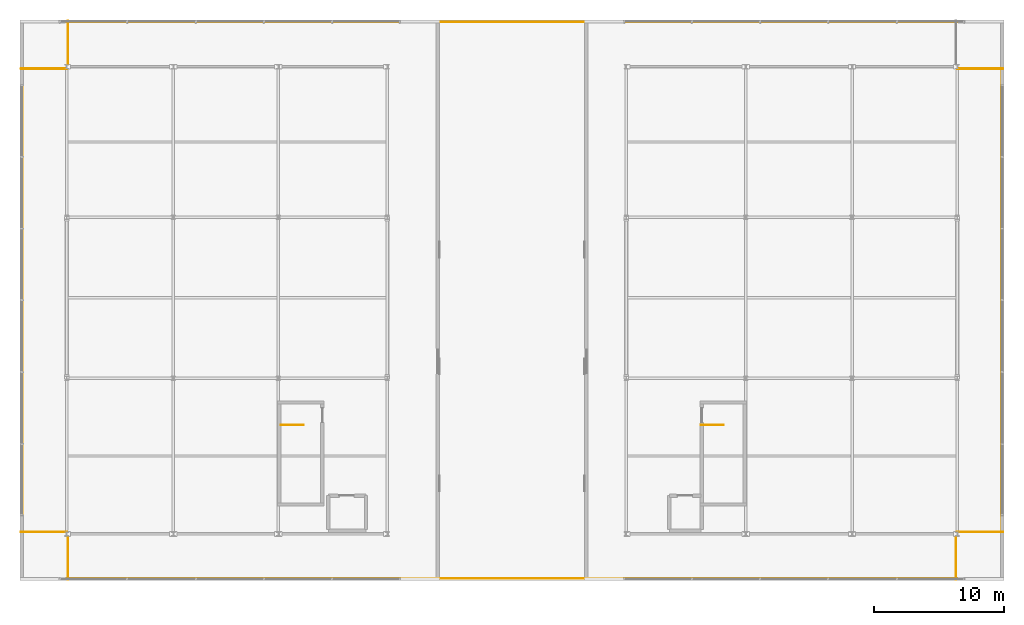
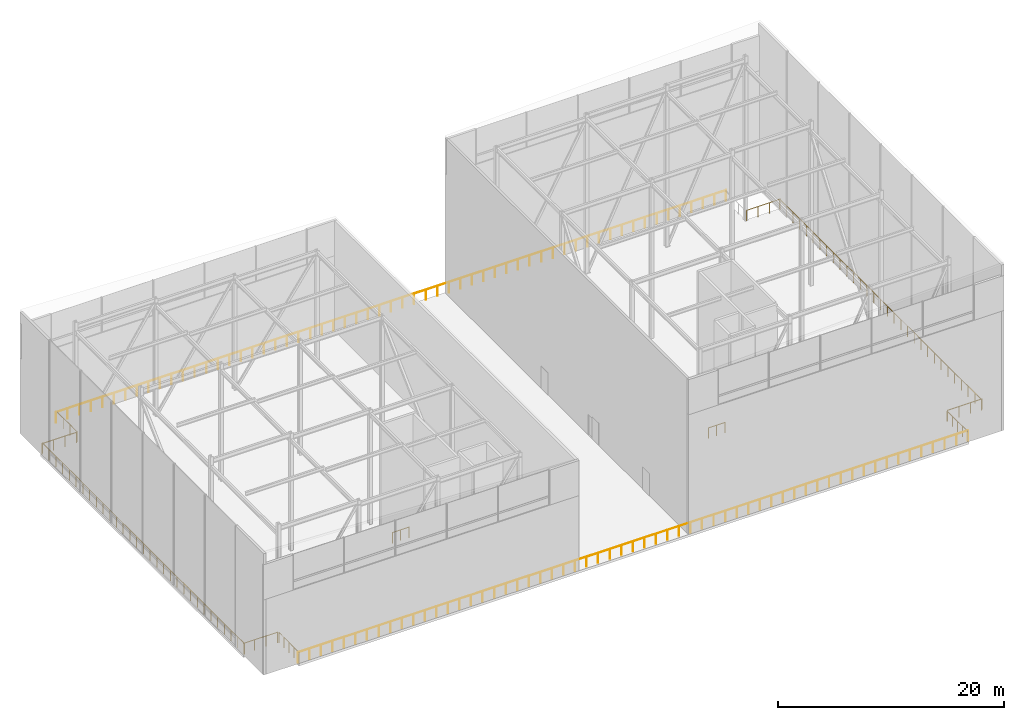
# One storey, part 38 of 39: 13 railings.
"""IFC4 building model written with IfcOpenShell, lengths in metres."""

from ifc_helpers import new_model, si_unit, direction, frame, origin, origin_2d, place, context, subcontext, project, spatial, circle, extrude, material, type_object, element, save


model = new_model("IFC4")

# Units and contexts
model_context = context("Model", 3, precision=1e-05, world=origin(), true_north=direction((0.0, 1.0)))
body_context = subcontext(model_context, "Body", "Model", "MODEL_VIEW")
ifc_project = project(units=[si_unit("LENGTHUNIT", "METRE"), si_unit("AREAUNIT", "SQUARE_METRE"), si_unit("VOLUMEUNIT", "CUBIC_METRE"), si_unit("PLANEANGLEUNIT", "RADIAN"), si_unit("MASSUNIT", "GRAM", prefix="KILO")], contexts=[model_context])

# Site, building, storey
site_placement = place(None, origin())
site = spatial("IfcSite", under=ifc_project, at=site_placement, CompositionType="ELEMENT")
building_placement = place(site_placement, origin())
building = spatial("IfcBuilding", under=site, at=building_placement, Name="Korimba Cascade Residences", CompositionType="ELEMENT")
storey_placement = place(building_placement, frame((0.0, 0.0, 264.199951171875)))
storey = spatial("IfcBuildingStorey", under=building, at=storey_placement, Name="RF", CompositionType="ELEMENT", Elevation=264.199951171875)

# Railings
ifc_material_1 = material(Name="Painted Steel Stairwell Guardrail", Category="steel")
railing_type_1 = type_object("IfcRailingType", Name="RLG-ST-GD1150", PredefinedType="GUARDRAIL", material=ifc_material_1)
for number, where, name in (
    (1, (76.300048828125, 63.60009765625, 0.0), "RF ST-W1 top well guard 1"),
    (2, (108.659912109375, 63.60009765625, 0.0), "RF ST-W2 top well guard 1"),
):
    element("IfcRailing", number, at=place(storey_placement, frame(where)), inside=storey, type_object=railing_type_1, Name=name, PredefinedType="GUARDRAIL", context=body_context, shape_type="SweptSolid", body=[
        extrude(circle(Radius=0.02392578125, at=origin_2d()), frame((0.0, 0.0, 1.1259765625), z_axis=(1.0, 0.0, 0.0), x_axis=(0.0, 1.0, 0.0)), (0.0, 0.0, 1.0), 1.719970703125),
        extrude(circle(Radius=0.02099609375, at=origin_2d()), origin(), (0.0, 0.0, 1.0), 1.101806640625),
        extrude(circle(Radius=0.02099609375, at=origin_2d()), frame((0.85986328125, 0.0, 0.0)), (0.0, 0.0, 1.0), 1.101806640625),
        extrude(circle(Radius=0.02099609375, at=origin_2d()), frame((1.719970703125, 0.0, 0.0)), (0.0, 0.0, 1.0), 1.101806640625),
    ])
ifc_material_2 = material(Name="Painted Galvanised Steel Terrace Guardrail", Category="steel")
railing_type_2 = type_object("IfcRailingType", Name="RLG-TER-1150", PredefinedType="GUARDRAIL", material=ifc_material_2)
railing_1_placement = place(storey_placement, frame((59.800048828125, 51.760009765625, 0.0)))
element("IfcRailing", 3, at=railing_1_placement, inside=storey, type_object=railing_type_2, Name="RF Perimeter Guardrail RLG-RF-CRN-PERIM-01", PredefinedType="GUARDRAIL", context=body_context, shape_type="SweptSolid", body=[
    extrude(circle(Radius=0.02392578125, at=origin_2d()), frame((0.0, 0.0, 1.1259765625), z_axis=(1.0, 0.0, 0.0), x_axis=(0.0, 1.0, 0.0)), (0.0, 0.0, 1.0), 68.599853515625),
    extrude(circle(Radius=0.02099609375, at=origin_2d()), origin(), (0.0, 0.0, 1.0), 1.101806640625),
    extrude(circle(Radius=0.02099609375, at=origin_2d()), frame((1.182861328125, 0.0, 0.0)), (0.0, 0.0, 1.0), 1.101806640625),
    extrude(circle(Radius=0.02099609375, at=origin_2d()), frame((2.365478515625, 0.0, 0.0)), (0.0, 0.0, 1.0), 1.101806640625),
    extrude(circle(Radius=0.02099609375, at=origin_2d()), frame((3.54833984375, 0.0, 0.0)), (0.0, 0.0, 1.0), 1.101806640625),
    extrude(circle(Radius=0.02099609375, at=origin_2d()), frame((4.73095703125, 0.0, 0.0)), (0.0, 0.0, 1.0), 1.101806640625),
    extrude(circle(Radius=0.02099609375, at=origin_2d()), frame((5.913818359375, 0.0, 0.0)), (0.0, 0.0, 1.0), 1.101806640625),
    extrude(circle(Radius=0.02099609375, at=origin_2d()), frame((7.096435546875, 0.0, 0.0)), (0.0, 0.0, 1.0), 1.101806640625),
    extrude(circle(Radius=0.02099609375, at=origin_2d()), frame((8.279296875, 0.0, 0.0)), (0.0, 0.0, 1.0), 1.101806640625),
    extrude(circle(Radius=0.02099609375, at=origin_2d()), frame((9.462158203125, 0.0, 0.0)), (0.0, 0.0, 1.0), 1.101806640625),
    extrude(circle(Radius=0.02099609375, at=origin_2d()), frame((10.644775390625, 0.0, 0.0)), (0.0, 0.0, 1.0), 1.101806640625),
    extrude(circle(Radius=0.02099609375, at=origin_2d()), frame((11.82763671875, 0.0, 0.0)), (0.0, 0.0, 1.0), 1.101806640625),
    extrude(circle(Radius=0.02099609375, at=origin_2d()), frame((13.01025390625, 0.0, 0.0)), (0.0, 0.0, 1.0), 1.101806640625),
    extrude(circle(Radius=0.02099609375, at=origin_2d()), frame((14.193115234375, 0.0, 0.0)), (0.0, 0.0, 1.0), 1.101806640625),
    extrude(circle(Radius=0.02099609375, at=origin_2d()), frame((15.375732421875, 0.0, 0.0)), (0.0, 0.0, 1.0), 1.101806640625),
    extrude(circle(Radius=0.02099609375, at=origin_2d()), frame((16.55859375, 0.0, 0.0)), (0.0, 0.0, 1.0), 1.101806640625),
    extrude(circle(Radius=0.02099609375, at=origin_2d()), frame((17.741455078125, 0.0, 0.0)), (0.0, 0.0, 1.0), 1.101806640625),
    extrude(circle(Radius=0.02099609375, at=origin_2d()), frame((18.924072265625, 0.0, 0.0)), (0.0, 0.0, 1.0), 1.101806640625),
    extrude(circle(Radius=0.02099609375, at=origin_2d()), frame((20.10693359375, 0.0, 0.0)), (0.0, 0.0, 1.0), 1.101806640625),
    extrude(circle(Radius=0.02099609375, at=origin_2d()), frame((21.28955078125, 0.0, 0.0)), (0.0, 0.0, 1.0), 1.101806640625),
    extrude(circle(Radius=0.02099609375, at=origin_2d()), frame((22.472412109375, 0.0, 0.0)), (0.0, 0.0, 1.0), 1.101806640625),
    extrude(circle(Radius=0.02099609375, at=origin_2d()), frame((23.655029296875, 0.0, 0.0)), (0.0, 0.0, 1.0), 1.101806640625),
    extrude(circle(Radius=0.02099609375, at=origin_2d()), frame((24.837890625, 0.0, 0.0)), (0.0, 0.0, 1.0), 1.101806640625),
    extrude(circle(Radius=0.02099609375, at=origin_2d()), frame((26.020751953125, 0.0, 0.0)), (0.0, 0.0, 1.0), 1.101806640625),
    extrude(circle(Radius=0.02099609375, at=origin_2d()), frame((27.203369140625, 0.0, 0.0)), (0.0, 0.0, 1.0), 1.101806640625),
    extrude(circle(Radius=0.02099609375, at=origin_2d()), frame((28.38623046875, 0.0, 0.0)), (0.0, 0.0, 1.0), 1.101806640625),
    extrude(circle(Radius=0.02099609375, at=origin_2d()), frame((29.56884765625, 0.0, 0.0)), (0.0, 0.0, 1.0), 1.101806640625),
    extrude(circle(Radius=0.02099609375, at=origin_2d()), frame((30.751708984375, 0.0, 0.0)), (0.0, 0.0, 1.0), 1.101806640625),
    extrude(circle(Radius=0.02099609375, at=origin_2d()), frame((31.934326171875, 0.0, 0.0)), (0.0, 0.0, 1.0), 1.101806640625),
    extrude(circle(Radius=0.02099609375, at=origin_2d()), frame((33.1171875, 0.0, 0.0)), (0.0, 0.0, 1.0), 1.101806640625),
    extrude(circle(Radius=0.02099609375, at=origin_2d()), frame((34.2998046875, 0.0, 0.0)), (0.0, 0.0, 1.0), 1.101806640625),
    extrude(circle(Radius=0.02099609375, at=origin_2d()), frame((35.482666015625, 0.0, 0.0)), (0.0, 0.0, 1.0), 1.101806640625),
    extrude(circle(Radius=0.02099609375, at=origin_2d()), frame((36.66552734375, 0.0, 0.0)), (0.0, 0.0, 1.0), 1.101806640625),
    extrude(circle(Radius=0.02099609375, at=origin_2d()), frame((37.84814453125, 0.0, 0.0)), (0.0, 0.0, 1.0), 1.101806640625),
    extrude(circle(Radius=0.02099609375, at=origin_2d()), frame((39.031005859375, 0.0, 0.0)), (0.0, 0.0, 1.0), 1.101806640625),
    extrude(circle(Radius=0.02099609375, at=origin_2d()), frame((40.213623046875, 0.0, 0.0)), (0.0, 0.0, 1.0), 1.101806640625),
    extrude(circle(Radius=0.02099609375, at=origin_2d()), frame((41.396484375, 0.0, 0.0)), (0.0, 0.0, 1.0), 1.101806640625),
    extrude(circle(Radius=0.02099609375, at=origin_2d()), frame((42.5791015625, 0.0, 0.0)), (0.0, 0.0, 1.0), 1.101806640625),
    extrude(circle(Radius=0.02099609375, at=origin_2d()), frame((43.761962890625, 0.0, 0.0)), (0.0, 0.0, 1.0), 1.101806640625),
    extrude(circle(Radius=0.02099609375, at=origin_2d()), frame((44.94482421875, 0.0, 0.0)), (0.0, 0.0, 1.0), 1.101806640625),
    extrude(circle(Radius=0.02099609375, at=origin_2d()), frame((46.12744140625, 0.0, 0.0)), (0.0, 0.0, 1.0), 1.101806640625),
    extrude(circle(Radius=0.02099609375, at=origin_2d()), frame((47.310302734375, 0.0, 0.0)), (0.0, 0.0, 1.0), 1.101806640625),
    extrude(circle(Radius=0.02099609375, at=origin_2d()), frame((48.492919921875, 0.0, 0.0)), (0.0, 0.0, 1.0), 1.101806640625),
    extrude(circle(Radius=0.02099609375, at=origin_2d()), frame((49.67578125, 0.0, 0.0)), (0.0, 0.0, 1.0), 1.101806640625),
    extrude(circle(Radius=0.02099609375, at=origin_2d()), frame((50.8583984375, 0.0, 0.0)), (0.0, 0.0, 1.0), 1.101806640625),
    extrude(circle(Radius=0.02099609375, at=origin_2d()), frame((52.041259765625, 0.0, 0.0)), (0.0, 0.0, 1.0), 1.101806640625),
    extrude(circle(Radius=0.02099609375, at=origin_2d()), frame((53.22412109375, 0.0, 0.0)), (0.0, 0.0, 1.0), 1.101806640625),
    extrude(circle(Radius=0.02099609375, at=origin_2d()), frame((54.40673828125, 0.0, 0.0)), (0.0, 0.0, 1.0), 1.101806640625),
    extrude(circle(Radius=0.02099609375, at=origin_2d()), frame((55.589599609375, 0.0, 0.0)), (0.0, 0.0, 1.0), 1.101806640625),
    extrude(circle(Radius=0.02099609375, at=origin_2d()), frame((56.772216796875, 0.0, 0.0)), (0.0, 0.0, 1.0), 1.101806640625),
    extrude(circle(Radius=0.02099609375, at=origin_2d()), frame((57.955078125, 0.0, 0.0)), (0.0, 0.0, 1.0), 1.101806640625),
    extrude(circle(Radius=0.02099609375, at=origin_2d()), frame((59.1376953125, 0.0, 0.0)), (0.0, 0.0, 1.0), 1.101806640625),
    extrude(circle(Radius=0.02099609375, at=origin_2d()), frame((60.320556640625, 0.0, 0.0)), (0.0, 0.0, 1.0), 1.101806640625),
    extrude(circle(Radius=0.02099609375, at=origin_2d()), frame((61.50341796875, 0.0, 0.0)), (0.0, 0.0, 1.0), 1.101806640625),
    extrude(circle(Radius=0.02099609375, at=origin_2d()), frame((62.68603515625, 0.0, 0.0)), (0.0, 0.0, 1.0), 1.101806640625),
    extrude(circle(Radius=0.02099609375, at=origin_2d()), frame((63.868896484375, 0.0, 0.0)), (0.0, 0.0, 1.0), 1.101806640625),
    extrude(circle(Radius=0.02099609375, at=origin_2d()), frame((65.051513671875, 0.0, 0.0)), (0.0, 0.0, 1.0), 1.101806640625),
    extrude(circle(Radius=0.02099609375, at=origin_2d()), frame((66.234375, 0.0, 0.0)), (0.0, 0.0, 1.0), 1.101806640625),
    extrude(circle(Radius=0.02099609375, at=origin_2d()), frame((67.4169921875, 0.0, 0.0)), (0.0, 0.0, 1.0), 1.101806640625),
    extrude(circle(Radius=0.02099609375, at=origin_2d()), frame((68.599853515625, 0.0, 0.0)), (0.0, 0.0, 1.0), 1.101806640625),
])
railing_2_placement = place(storey_placement, frame((128.320068359375, 51.679931640625, 0.0)))
element("IfcRailing", 4, at=railing_2_placement, inside=storey, type_object=railing_type_2, Name="RF Perimeter Guardrail RLG-RF-CRN-PERIM-02", PredefinedType="GUARDRAIL", context=body_context, shape_type="SweptSolid", body=[
    extrude(circle(Radius=0.02392578125, at=origin_2d()), frame((0.0, 0.0, 1.1259765625), z_axis=(0.0, 1.0, 0.0), x_axis=(-1.0, 0.0, 0.0)), (0.0, 0.0, 1.0), 3.60009765625),
    extrude(circle(Radius=0.02099609375, at=origin_2d()), origin(), (0.0, 0.0, 1.0), 1.101806640625),
    extrude(circle(Radius=0.02099609375, at=origin_2d()), frame((0.0, 0.89990234375, 0.0)), (0.0, 0.0, 1.0), 1.101806640625),
    extrude(circle(Radius=0.02099609375, at=origin_2d()), frame((0.0, 1.800048828125, 0.0)), (0.0, 0.0, 1.0), 1.101806640625),
    extrude(circle(Radius=0.02099609375, at=origin_2d()), frame((0.0, 2.7001953125, 0.0)), (0.0, 0.0, 1.0), 1.101806640625),
    extrude(circle(Radius=0.02099609375, at=origin_2d()), frame((0.0, 3.60009765625, 0.0)), (0.0, 0.0, 1.0), 1.101806640625),
])
railing_3_placement = place(storey_placement, frame((128.39990234375, 55.360107421875, 0.0)))
element("IfcRailing", 5, at=railing_3_placement, inside=storey, type_object=railing_type_2, Name="RF Perimeter Guardrail RLG-RF-CRN-PERIM-03", PredefinedType="GUARDRAIL", context=body_context, shape_type="SweptSolid", body=[
    extrude(circle(Radius=0.02392578125, at=origin_2d()), frame((0.0, 0.0, 1.1259765625), z_axis=(1.0, 0.0, 0.0), x_axis=(0.0, 1.0, 0.0)), (0.0, 0.0, 1.0), 3.52001953125),
    extrude(circle(Radius=0.02099609375, at=origin_2d()), origin(), (0.0, 0.0, 1.0), 1.101806640625),
    extrude(circle(Radius=0.02099609375, at=origin_2d()), frame((1.17333984375, 0.0, 0.0)), (0.0, 0.0, 1.0), 1.101806640625),
    extrude(circle(Radius=0.02099609375, at=origin_2d()), frame((2.3466796875, 0.0, 0.0)), (0.0, 0.0, 1.0), 1.101806640625),
    extrude(circle(Radius=0.02099609375, at=origin_2d()), frame((3.52001953125, 0.0, 0.0)), (0.0, 0.0, 1.0), 1.101806640625),
])
railing_4_placement = place(storey_placement, frame((131.840087890625, 55.280029296875, 0.0)))
element("IfcRailing", 6, at=railing_4_placement, inside=storey, type_object=railing_type_2, Name="RF Perimeter Guardrail RLG-RF-CRN-PERIM-04", PredefinedType="GUARDRAIL", context=body_context, shape_type="SweptSolid", body=[
    extrude(circle(Radius=0.02392578125, at=origin_2d()), frame((0.0, 0.0, 1.1259765625), z_axis=(0.0, 1.0, 0.0), x_axis=(-1.0, 0.0, 0.0)), (0.0, 0.0, 1.0), 35.840087890625),
    extrude(circle(Radius=0.02099609375, at=origin_2d()), origin(), (0.0, 0.0, 1.0), 1.101806640625),
    extrude(circle(Radius=0.02099609375, at=origin_2d()), frame((0.0, 1.194580078125, 0.0)), (0.0, 0.0, 1.0), 1.101806640625),
    extrude(circle(Radius=0.02099609375, at=origin_2d()), frame((0.0, 2.389404296875, 0.0)), (0.0, 0.0, 1.0), 1.101806640625),
    extrude(circle(Radius=0.02099609375, at=origin_2d()), frame((0.0, 3.583984375, 0.0)), (0.0, 0.0, 1.0), 1.101806640625),
    extrude(circle(Radius=0.02099609375, at=origin_2d()), frame((0.0, 4.778564453125, 0.0)), (0.0, 0.0, 1.0), 1.101806640625),
    extrude(circle(Radius=0.02099609375, at=origin_2d()), frame((0.0, 5.973388671875, 0.0)), (0.0, 0.0, 1.0), 1.101806640625),
    extrude(circle(Radius=0.02099609375, at=origin_2d()), frame((0.0, 7.16796875, 0.0)), (0.0, 0.0, 1.0), 1.101806640625),
    extrude(circle(Radius=0.02099609375, at=origin_2d()), frame((0.0, 8.36279296875, 0.0)), (0.0, 0.0, 1.0), 1.101806640625),
    extrude(circle(Radius=0.02099609375, at=origin_2d()), frame((0.0, 9.557373046875, 0.0)), (0.0, 0.0, 1.0), 1.101806640625),
    extrude(circle(Radius=0.02099609375, at=origin_2d()), frame((0.0, 10.751953125, 0.0)), (0.0, 0.0, 1.0), 1.101806640625),
    extrude(circle(Radius=0.02099609375, at=origin_2d()), frame((0.0, 11.94677734375, 0.0)), (0.0, 0.0, 1.0), 1.101806640625),
    extrude(circle(Radius=0.02099609375, at=origin_2d()), frame((0.0, 13.141357421875, 0.0)), (0.0, 0.0, 1.0), 1.101806640625),
    extrude(circle(Radius=0.02099609375, at=origin_2d()), frame((0.0, 14.3359375, 0.0)), (0.0, 0.0, 1.0), 1.101806640625),
    extrude(circle(Radius=0.02099609375, at=origin_2d()), frame((0.0, 15.53076171875, 0.0)), (0.0, 0.0, 1.0), 1.101806640625),
    extrude(circle(Radius=0.02099609375, at=origin_2d()), frame((0.0, 16.725341796875, 0.0)), (0.0, 0.0, 1.0), 1.101806640625),
    extrude(circle(Radius=0.02099609375, at=origin_2d()), frame((0.0, 17.919921875, 0.0)), (0.0, 0.0, 1.0), 1.101806640625),
    extrude(circle(Radius=0.02099609375, at=origin_2d()), frame((0.0, 19.11474609375, 0.0)), (0.0, 0.0, 1.0), 1.101806640625),
    extrude(circle(Radius=0.02099609375, at=origin_2d()), frame((0.0, 20.309326171875, 0.0)), (0.0, 0.0, 1.0), 1.101806640625),
    extrude(circle(Radius=0.02099609375, at=origin_2d()), frame((0.0, 21.504150390625, 0.0)), (0.0, 0.0, 1.0), 1.101806640625),
    extrude(circle(Radius=0.02099609375, at=origin_2d()), frame((0.0, 22.69873046875, 0.0)), (0.0, 0.0, 1.0), 1.101806640625),
    extrude(circle(Radius=0.02099609375, at=origin_2d()), frame((0.0, 23.893310546875, 0.0)), (0.0, 0.0, 1.0), 1.101806640625),
    extrude(circle(Radius=0.02099609375, at=origin_2d()), frame((0.0, 25.088134765625, 0.0)), (0.0, 0.0, 1.0), 1.101806640625),
    extrude(circle(Radius=0.02099609375, at=origin_2d()), frame((0.0, 26.28271484375, 0.0)), (0.0, 0.0, 1.0), 1.101806640625),
    extrude(circle(Radius=0.02099609375, at=origin_2d()), frame((0.0, 27.477294921875, 0.0)), (0.0, 0.0, 1.0), 1.101806640625),
    extrude(circle(Radius=0.02099609375, at=origin_2d()), frame((0.0, 28.672119140625, 0.0)), (0.0, 0.0, 1.0), 1.101806640625),
    extrude(circle(Radius=0.02099609375, at=origin_2d()), frame((0.0, 29.86669921875, 0.0)), (0.0, 0.0, 1.0), 1.101806640625),
    extrude(circle(Radius=0.02099609375, at=origin_2d()), frame((0.0, 31.0615234375, 0.0)), (0.0, 0.0, 1.0), 1.101806640625),
    extrude(circle(Radius=0.02099609375, at=origin_2d()), frame((0.0, 32.256103515625, 0.0)), (0.0, 0.0, 1.0), 1.101806640625),
    extrude(circle(Radius=0.02099609375, at=origin_2d()), frame((0.0, 33.45068359375, 0.0)), (0.0, 0.0, 1.0), 1.101806640625),
    extrude(circle(Radius=0.02099609375, at=origin_2d()), frame((0.0, 34.6455078125, 0.0)), (0.0, 0.0, 1.0), 1.101806640625),
    extrude(circle(Radius=0.02099609375, at=origin_2d()), frame((0.0, 35.840087890625, 0.0)), (0.0, 0.0, 1.0), 1.101806640625),
])
railing_5_placement = place(storey_placement, frame((131.919921875, 91.0400390625, 0.0)))
element("IfcRailing", 7, at=railing_5_placement, inside=storey, type_object=railing_type_2, Name="RF Perimeter Guardrail RLG-RF-CRN-PERIM-05", PredefinedType="GUARDRAIL", context=body_context, shape_type="SweptSolid", body=[
    extrude(circle(Radius=0.02392578125, at=origin_2d()), frame((0.0, 0.0, 1.1259765625), z_axis=(-1.0, 0.0, 0.0), x_axis=(0.0, -1.0, 0.0)), (0.0, 0.0, 1.0), 3.52001953125),
    extrude(circle(Radius=0.02099609375, at=origin_2d()), origin(), (0.0, 0.0, 1.0), 1.101806640625),
    extrude(circle(Radius=0.02099609375, at=origin_2d()), frame((-1.17333984375, 0.0, 0.0)), (0.0, 0.0, 1.0), 1.101806640625),
    extrude(circle(Radius=0.02099609375, at=origin_2d()), frame((-2.3466796875, 0.0, 0.0)), (0.0, 0.0, 1.0), 1.101806640625),
    extrude(circle(Radius=0.02099609375, at=origin_2d()), frame((-3.52001953125, 0.0, 0.0)), (0.0, 0.0, 1.0), 1.101806640625),
])
railing_6_placement = place(storey_placement, frame((128.39990234375, 94.639892578125, 0.0)))
element("IfcRailing", 8, at=railing_6_placement, inside=storey, type_object=railing_type_2, Name="RF Perimeter Guardrail RLG-RF-CRN-PERIM-07", PredefinedType="GUARDRAIL", context=body_context, shape_type="SweptSolid", body=[
    extrude(circle(Radius=0.02392578125, at=origin_2d()), frame((0.0, 0.0, 1.1259765625), z_axis=(-1.0, 0.0, 0.0), x_axis=(0.0, -1.0, 0.0)), (0.0, 0.0, 1.0), 68.599853515625),
    extrude(circle(Radius=0.02099609375, at=origin_2d()), origin(), (0.0, 0.0, 1.0), 1.101806640625),
    extrude(circle(Radius=0.02099609375, at=origin_2d()), frame((-1.182861328125, 0.0, 0.0)), (0.0, 0.0, 1.0), 1.101806640625),
    extrude(circle(Radius=0.02099609375, at=origin_2d()), frame((-2.365478515625, 0.0, 0.0)), (0.0, 0.0, 1.0), 1.101806640625),
    extrude(circle(Radius=0.02099609375, at=origin_2d()), frame((-3.54833984375, 0.0, 0.0)), (0.0, 0.0, 1.0), 1.101806640625),
    extrude(circle(Radius=0.02099609375, at=origin_2d()), frame((-4.73095703125, 0.0, 0.0)), (0.0, 0.0, 1.0), 1.101806640625),
    extrude(circle(Radius=0.02099609375, at=origin_2d()), frame((-5.913818359375, 0.0, 0.0)), (0.0, 0.0, 1.0), 1.101806640625),
    extrude(circle(Radius=0.02099609375, at=origin_2d()), frame((-7.096435546875, 0.0, 0.0)), (0.0, 0.0, 1.0), 1.101806640625),
    extrude(circle(Radius=0.02099609375, at=origin_2d()), frame((-8.279296875, 0.0, 0.0)), (0.0, 0.0, 1.0), 1.101806640625),
    extrude(circle(Radius=0.02099609375, at=origin_2d()), frame((-9.462158203125, 0.0, 0.0)), (0.0, 0.0, 1.0), 1.101806640625),
    extrude(circle(Radius=0.02099609375, at=origin_2d()), frame((-10.644775390625, 0.0, 0.0)), (0.0, 0.0, 1.0), 1.101806640625),
    extrude(circle(Radius=0.02099609375, at=origin_2d()), frame((-11.82763671875, 0.0, 0.0)), (0.0, 0.0, 1.0), 1.101806640625),
    extrude(circle(Radius=0.02099609375, at=origin_2d()), frame((-13.01025390625, 0.0, 0.0)), (0.0, 0.0, 1.0), 1.101806640625),
    extrude(circle(Radius=0.02099609375, at=origin_2d()), frame((-14.193115234375, 0.0, 0.0)), (0.0, 0.0, 1.0), 1.101806640625),
    extrude(circle(Radius=0.02099609375, at=origin_2d()), frame((-15.375732421875, 0.0, 0.0)), (0.0, 0.0, 1.0), 1.101806640625),
    extrude(circle(Radius=0.02099609375, at=origin_2d()), frame((-16.55859375, 0.0, 0.0)), (0.0, 0.0, 1.0), 1.101806640625),
    extrude(circle(Radius=0.02099609375, at=origin_2d()), frame((-17.741455078125, 0.0, 0.0)), (0.0, 0.0, 1.0), 1.101806640625),
    extrude(circle(Radius=0.02099609375, at=origin_2d()), frame((-18.924072265625, 0.0, 0.0)), (0.0, 0.0, 1.0), 1.101806640625),
    extrude(circle(Radius=0.02099609375, at=origin_2d()), frame((-20.10693359375, 0.0, 0.0)), (0.0, 0.0, 1.0), 1.101806640625),
    extrude(circle(Radius=0.02099609375, at=origin_2d()), frame((-21.28955078125, 0.0, 0.0)), (0.0, 0.0, 1.0), 1.101806640625),
    extrude(circle(Radius=0.02099609375, at=origin_2d()), frame((-22.472412109375, 0.0, 0.0)), (0.0, 0.0, 1.0), 1.101806640625),
    extrude(circle(Radius=0.02099609375, at=origin_2d()), frame((-23.655029296875, 0.0, 0.0)), (0.0, 0.0, 1.0), 1.101806640625),
    extrude(circle(Radius=0.02099609375, at=origin_2d()), frame((-24.837890625, 0.0, 0.0)), (0.0, 0.0, 1.0), 1.101806640625),
    extrude(circle(Radius=0.02099609375, at=origin_2d()), frame((-26.020751953125, 0.0, 0.0)), (0.0, 0.0, 1.0), 1.101806640625),
    extrude(circle(Radius=0.02099609375, at=origin_2d()), frame((-27.203369140625, 0.0, 0.0)), (0.0, 0.0, 1.0), 1.101806640625),
    extrude(circle(Radius=0.02099609375, at=origin_2d()), frame((-28.38623046875, 0.0, 0.0)), (0.0, 0.0, 1.0), 1.101806640625),
    extrude(circle(Radius=0.02099609375, at=origin_2d()), frame((-29.56884765625, 0.0, 0.0)), (0.0, 0.0, 1.0), 1.101806640625),
    extrude(circle(Radius=0.02099609375, at=origin_2d()), frame((-30.751708984375, 0.0, 0.0)), (0.0, 0.0, 1.0), 1.101806640625),
    extrude(circle(Radius=0.02099609375, at=origin_2d()), frame((-31.934326171875, 0.0, 0.0)), (0.0, 0.0, 1.0), 1.101806640625),
    extrude(circle(Radius=0.02099609375, at=origin_2d()), frame((-33.1171875, 0.0, 0.0)), (0.0, 0.0, 1.0), 1.101806640625),
    extrude(circle(Radius=0.02099609375, at=origin_2d()), frame((-34.2998046875, 0.0, 0.0)), (0.0, 0.0, 1.0), 1.101806640625),
    extrude(circle(Radius=0.02099609375, at=origin_2d()), frame((-35.482666015625, 0.0, 0.0)), (0.0, 0.0, 1.0), 1.101806640625),
    extrude(circle(Radius=0.02099609375, at=origin_2d()), frame((-36.66552734375, 0.0, 0.0)), (0.0, 0.0, 1.0), 1.101806640625),
    extrude(circle(Radius=0.02099609375, at=origin_2d()), frame((-37.84814453125, 0.0, 0.0)), (0.0, 0.0, 1.0), 1.101806640625),
    extrude(circle(Radius=0.02099609375, at=origin_2d()), frame((-39.031005859375, 0.0, 0.0)), (0.0, 0.0, 1.0), 1.101806640625),
    extrude(circle(Radius=0.02099609375, at=origin_2d()), frame((-40.213623046875, 0.0, 0.0)), (0.0, 0.0, 1.0), 1.101806640625),
    extrude(circle(Radius=0.02099609375, at=origin_2d()), frame((-41.396484375, 0.0, 0.0)), (0.0, 0.0, 1.0), 1.101806640625),
    extrude(circle(Radius=0.02099609375, at=origin_2d()), frame((-42.5791015625, 0.0, 0.0)), (0.0, 0.0, 1.0), 1.101806640625),
    extrude(circle(Radius=0.02099609375, at=origin_2d()), frame((-43.761962890625, 0.0, 0.0)), (0.0, 0.0, 1.0), 1.101806640625),
    extrude(circle(Radius=0.02099609375, at=origin_2d()), frame((-44.94482421875, 0.0, 0.0)), (0.0, 0.0, 1.0), 1.101806640625),
    extrude(circle(Radius=0.02099609375, at=origin_2d()), frame((-46.12744140625, 0.0, 0.0)), (0.0, 0.0, 1.0), 1.101806640625),
    extrude(circle(Radius=0.02099609375, at=origin_2d()), frame((-47.310302734375, 0.0, 0.0)), (0.0, 0.0, 1.0), 1.101806640625),
    extrude(circle(Radius=0.02099609375, at=origin_2d()), frame((-48.492919921875, 0.0, 0.0)), (0.0, 0.0, 1.0), 1.101806640625),
    extrude(circle(Radius=0.02099609375, at=origin_2d()), frame((-49.67578125, 0.0, 0.0)), (0.0, 0.0, 1.0), 1.101806640625),
    extrude(circle(Radius=0.02099609375, at=origin_2d()), frame((-50.8583984375, 0.0, 0.0)), (0.0, 0.0, 1.0), 1.101806640625),
    extrude(circle(Radius=0.02099609375, at=origin_2d()), frame((-52.041259765625, 0.0, 0.0)), (0.0, 0.0, 1.0), 1.101806640625),
    extrude(circle(Radius=0.02099609375, at=origin_2d()), frame((-53.22412109375, 0.0, 0.0)), (0.0, 0.0, 1.0), 1.101806640625),
    extrude(circle(Radius=0.02099609375, at=origin_2d()), frame((-54.40673828125, 0.0, 0.0)), (0.0, 0.0, 1.0), 1.101806640625),
    extrude(circle(Radius=0.02099609375, at=origin_2d()), frame((-55.589599609375, 0.0, 0.0)), (0.0, 0.0, 1.0), 1.101806640625),
    extrude(circle(Radius=0.02099609375, at=origin_2d()), frame((-56.772216796875, 0.0, 0.0)), (0.0, 0.0, 1.0), 1.101806640625),
    extrude(circle(Radius=0.02099609375, at=origin_2d()), frame((-57.955078125, 0.0, 0.0)), (0.0, 0.0, 1.0), 1.101806640625),
    extrude(circle(Radius=0.02099609375, at=origin_2d()), frame((-59.1376953125, 0.0, 0.0)), (0.0, 0.0, 1.0), 1.101806640625),
    extrude(circle(Radius=0.02099609375, at=origin_2d()), frame((-60.320556640625, 0.0, 0.0)), (0.0, 0.0, 1.0), 1.101806640625),
    extrude(circle(Radius=0.02099609375, at=origin_2d()), frame((-61.50341796875, 0.0, 0.0)), (0.0, 0.0, 1.0), 1.101806640625),
    extrude(circle(Radius=0.02099609375, at=origin_2d()), frame((-62.68603515625, 0.0, 0.0)), (0.0, 0.0, 1.0), 1.101806640625),
    extrude(circle(Radius=0.02099609375, at=origin_2d()), frame((-63.868896484375, 0.0, 0.0)), (0.0, 0.0, 1.0), 1.101806640625),
    extrude(circle(Radius=0.02099609375, at=origin_2d()), frame((-65.051513671875, 0.0, 0.0)), (0.0, 0.0, 1.0), 1.101806640625),
    extrude(circle(Radius=0.02099609375, at=origin_2d()), frame((-66.234375, 0.0, 0.0)), (0.0, 0.0, 1.0), 1.101806640625),
    extrude(circle(Radius=0.02099609375, at=origin_2d()), frame((-67.4169921875, 0.0, 0.0)), (0.0, 0.0, 1.0), 1.101806640625),
    extrude(circle(Radius=0.02099609375, at=origin_2d()), frame((-68.599853515625, 0.0, 0.0)), (0.0, 0.0, 1.0), 1.101806640625),
])
railing_7_placement = place(storey_placement, frame((59.8798828125, 94.719970703125, 0.0)))
element("IfcRailing", 9, at=railing_7_placement, inside=storey, type_object=railing_type_2, Name="RF Perimeter Guardrail RLG-RF-CRN-PERIM-08", PredefinedType="GUARDRAIL", context=body_context, shape_type="SweptSolid", body=[
    extrude(circle(Radius=0.02392578125, at=origin_2d()), frame((0.0, 0.0, 1.1259765625), z_axis=(0.0, -1.0, 0.0), x_axis=(1.0, 0.0, 0.0)), (0.0, 0.0, 1.0), 3.599853515625),
    extrude(circle(Radius=0.02099609375, at=origin_2d()), origin(), (0.0, 0.0, 1.0), 1.101806640625),
    extrude(circle(Radius=0.02099609375, at=origin_2d()), frame((0.0, -1.199951171875, 0.0)), (0.0, 0.0, 1.0), 1.101806640625),
    extrude(circle(Radius=0.02099609375, at=origin_2d()), frame((0.0, -2.39990234375, 0.0)), (0.0, 0.0, 1.0), 1.101806640625),
    extrude(circle(Radius=0.02099609375, at=origin_2d()), frame((0.0, -3.599853515625, 0.0)), (0.0, 0.0, 1.0), 1.101806640625),
])
railing_8_placement = place(storey_placement, frame((59.800048828125, 91.0400390625, 0.0)))
element("IfcRailing", 10, at=railing_8_placement, inside=storey, type_object=railing_type_2, Name="RF Perimeter Guardrail RLG-RF-CRN-PERIM-09", PredefinedType="GUARDRAIL", context=body_context, shape_type="SweptSolid", body=[
    extrude(circle(Radius=0.02392578125, at=origin_2d()), frame((0.0, 0.0, 1.1259765625), z_axis=(-1.0, 0.0, 0.0), x_axis=(0.0, -1.0, 0.0)), (0.0, 0.0, 1.0), 3.52001953125),
    extrude(circle(Radius=0.02099609375, at=origin_2d()), origin(), (0.0, 0.0, 1.0), 1.101806640625),
    extrude(circle(Radius=0.02099609375, at=origin_2d()), frame((-1.17333984375, 0.0, 0.0)), (0.0, 0.0, 1.0), 1.101806640625),
    extrude(circle(Radius=0.02099609375, at=origin_2d()), frame((-2.3466796875, 0.0, 0.0)), (0.0, 0.0, 1.0), 1.101806640625),
    extrude(circle(Radius=0.02099609375, at=origin_2d()), frame((-3.52001953125, 0.0, 0.0)), (0.0, 0.0, 1.0), 1.101806640625),
])
railing_9_placement = place(storey_placement, frame((56.360107421875, 91.1201171875, 0.0)))
element("IfcRailing", 11, at=railing_9_placement, inside=storey, type_object=railing_type_2, Name="RF Perimeter Guardrail RLG-RF-CRN-PERIM-10", PredefinedType="GUARDRAIL", context=body_context, shape_type="SweptSolid", body=[
    extrude(circle(Radius=0.02392578125, at=origin_2d()), frame((0.0, 0.0, 1.1259765625), z_axis=(0.0, -1.0, 0.0), x_axis=(1.0, 0.0, 0.0)), (0.0, 0.0, 1.0), 35.840087890625),
    extrude(circle(Radius=0.02099609375, at=origin_2d()), origin(), (0.0, 0.0, 1.0), 1.101806640625),
    extrude(circle(Radius=0.02099609375, at=origin_2d()), frame((0.0, -1.194580078125, 0.0)), (0.0, 0.0, 1.0), 1.101806640625),
    extrude(circle(Radius=0.02099609375, at=origin_2d()), frame((0.0, -2.389404296875, 0.0)), (0.0, 0.0, 1.0), 1.101806640625),
    extrude(circle(Radius=0.02099609375, at=origin_2d()), frame((0.0, -3.583984375, 0.0)), (0.0, 0.0, 1.0), 1.101806640625),
    extrude(circle(Radius=0.02099609375, at=origin_2d()), frame((0.0, -4.778564453125, 0.0)), (0.0, 0.0, 1.0), 1.101806640625),
    extrude(circle(Radius=0.02099609375, at=origin_2d()), frame((0.0, -5.973388671875, 0.0)), (0.0, 0.0, 1.0), 1.101806640625),
    extrude(circle(Radius=0.02099609375, at=origin_2d()), frame((0.0, -7.16796875, 0.0)), (0.0, 0.0, 1.0), 1.101806640625),
    extrude(circle(Radius=0.02099609375, at=origin_2d()), frame((0.0, -8.36279296875, 0.0)), (0.0, 0.0, 1.0), 1.101806640625),
    extrude(circle(Radius=0.02099609375, at=origin_2d()), frame((0.0, -9.557373046875, 0.0)), (0.0, 0.0, 1.0), 1.101806640625),
    extrude(circle(Radius=0.02099609375, at=origin_2d()), frame((0.0, -10.751953125, 0.0)), (0.0, 0.0, 1.0), 1.101806640625),
    extrude(circle(Radius=0.02099609375, at=origin_2d()), frame((0.0, -11.94677734375, 0.0)), (0.0, 0.0, 1.0), 1.101806640625),
    extrude(circle(Radius=0.02099609375, at=origin_2d()), frame((0.0, -13.141357421875, 0.0)), (0.0, 0.0, 1.0), 1.101806640625),
    extrude(circle(Radius=0.02099609375, at=origin_2d()), frame((0.0, -14.3359375, 0.0)), (0.0, 0.0, 1.0), 1.101806640625),
    extrude(circle(Radius=0.02099609375, at=origin_2d()), frame((0.0, -15.53076171875, 0.0)), (0.0, 0.0, 1.0), 1.101806640625),
    extrude(circle(Radius=0.02099609375, at=origin_2d()), frame((0.0, -16.725341796875, 0.0)), (0.0, 0.0, 1.0), 1.101806640625),
    extrude(circle(Radius=0.02099609375, at=origin_2d()), frame((0.0, -17.919921875, 0.0)), (0.0, 0.0, 1.0), 1.101806640625),
    extrude(circle(Radius=0.02099609375, at=origin_2d()), frame((0.0, -19.11474609375, 0.0)), (0.0, 0.0, 1.0), 1.101806640625),
    extrude(circle(Radius=0.02099609375, at=origin_2d()), frame((0.0, -20.309326171875, 0.0)), (0.0, 0.0, 1.0), 1.101806640625),
    extrude(circle(Radius=0.02099609375, at=origin_2d()), frame((0.0, -21.504150390625, 0.0)), (0.0, 0.0, 1.0), 1.101806640625),
    extrude(circle(Radius=0.02099609375, at=origin_2d()), frame((0.0, -22.69873046875, 0.0)), (0.0, 0.0, 1.0), 1.101806640625),
    extrude(circle(Radius=0.02099609375, at=origin_2d()), frame((0.0, -23.893310546875, 0.0)), (0.0, 0.0, 1.0), 1.101806640625),
    extrude(circle(Radius=0.02099609375, at=origin_2d()), frame((0.0, -25.088134765625, 0.0)), (0.0, 0.0, 1.0), 1.101806640625),
    extrude(circle(Radius=0.02099609375, at=origin_2d()), frame((0.0, -26.28271484375, 0.0)), (0.0, 0.0, 1.0), 1.101806640625),
    extrude(circle(Radius=0.02099609375, at=origin_2d()), frame((0.0, -27.477294921875, 0.0)), (0.0, 0.0, 1.0), 1.101806640625),
    extrude(circle(Radius=0.02099609375, at=origin_2d()), frame((0.0, -28.672119140625, 0.0)), (0.0, 0.0, 1.0), 1.101806640625),
    extrude(circle(Radius=0.02099609375, at=origin_2d()), frame((0.0, -29.86669921875, 0.0)), (0.0, 0.0, 1.0), 1.101806640625),
    extrude(circle(Radius=0.02099609375, at=origin_2d()), frame((0.0, -31.0615234375, 0.0)), (0.0, 0.0, 1.0), 1.101806640625),
    extrude(circle(Radius=0.02099609375, at=origin_2d()), frame((0.0, -32.256103515625, 0.0)), (0.0, 0.0, 1.0), 1.101806640625),
    extrude(circle(Radius=0.02099609375, at=origin_2d()), frame((0.0, -33.45068359375, 0.0)), (0.0, 0.0, 1.0), 1.101806640625),
    extrude(circle(Radius=0.02099609375, at=origin_2d()), frame((0.0, -34.6455078125, 0.0)), (0.0, 0.0, 1.0), 1.101806640625),
    extrude(circle(Radius=0.02099609375, at=origin_2d()), frame((0.0, -35.840087890625, 0.0)), (0.0, 0.0, 1.0), 1.101806640625),
])
railing_10_placement = place(storey_placement, frame((56.280029296875, 55.360107421875, 0.0)))
element("IfcRailing", 12, at=railing_10_placement, inside=storey, type_object=railing_type_2, Name="RF Perimeter Guardrail RLG-RF-CRN-PERIM-11", PredefinedType="GUARDRAIL", context=body_context, shape_type="SweptSolid", body=[
    extrude(circle(Radius=0.02392578125, at=origin_2d()), frame((0.0, 0.0, 1.1259765625), z_axis=(1.0, 0.0, 0.0), x_axis=(0.0, 1.0, 0.0)), (0.0, 0.0, 1.0), 3.52001953125),
    extrude(circle(Radius=0.02099609375, at=origin_2d()), origin(), (0.0, 0.0, 1.0), 1.101806640625),
    extrude(circle(Radius=0.02099609375, at=origin_2d()), frame((1.17333984375, 0.0, 0.0)), (0.0, 0.0, 1.0), 1.101806640625),
    extrude(circle(Radius=0.02099609375, at=origin_2d()), frame((2.3466796875, 0.0, 0.0)), (0.0, 0.0, 1.0), 1.101806640625),
    extrude(circle(Radius=0.02099609375, at=origin_2d()), frame((3.52001953125, 0.0, 0.0)), (0.0, 0.0, 1.0), 1.101806640625),
])
railing_11_placement = place(storey_placement, frame((59.8798828125, 55.280029296875, 0.0)))
element("IfcRailing", 13, at=railing_11_placement, inside=storey, type_object=railing_type_2, Name="RF Perimeter Guardrail RLG-RF-CRN-PERIM-12", PredefinedType="GUARDRAIL", context=body_context, shape_type="SweptSolid", body=[
    extrude(circle(Radius=0.02392578125, at=origin_2d()), frame((0.0, 0.0, 1.1259765625), z_axis=(0.0, -1.0, 0.0), x_axis=(1.0, 0.0, 0.0)), (0.0, 0.0, 1.0), 3.60009765625),
    extrude(circle(Radius=0.02099609375, at=origin_2d()), origin(), (0.0, 0.0, 1.0), 1.101806640625),
    extrude(circle(Radius=0.02099609375, at=origin_2d()), frame((0.0, -0.89990234375, 0.0)), (0.0, 0.0, 1.0), 1.101806640625),
    extrude(circle(Radius=0.02099609375, at=origin_2d()), frame((0.0, -1.800048828125, 0.0)), (0.0, 0.0, 1.0), 1.101806640625),
    extrude(circle(Radius=0.02099609375, at=origin_2d()), frame((0.0, -2.7001953125, 0.0)), (0.0, 0.0, 1.0), 1.101806640625),
    extrude(circle(Radius=0.02099609375, at=origin_2d()), frame((0.0, -3.60009765625, 0.0)), (0.0, 0.0, 1.0), 1.101806640625),
])

save(model, "model.ifc")
